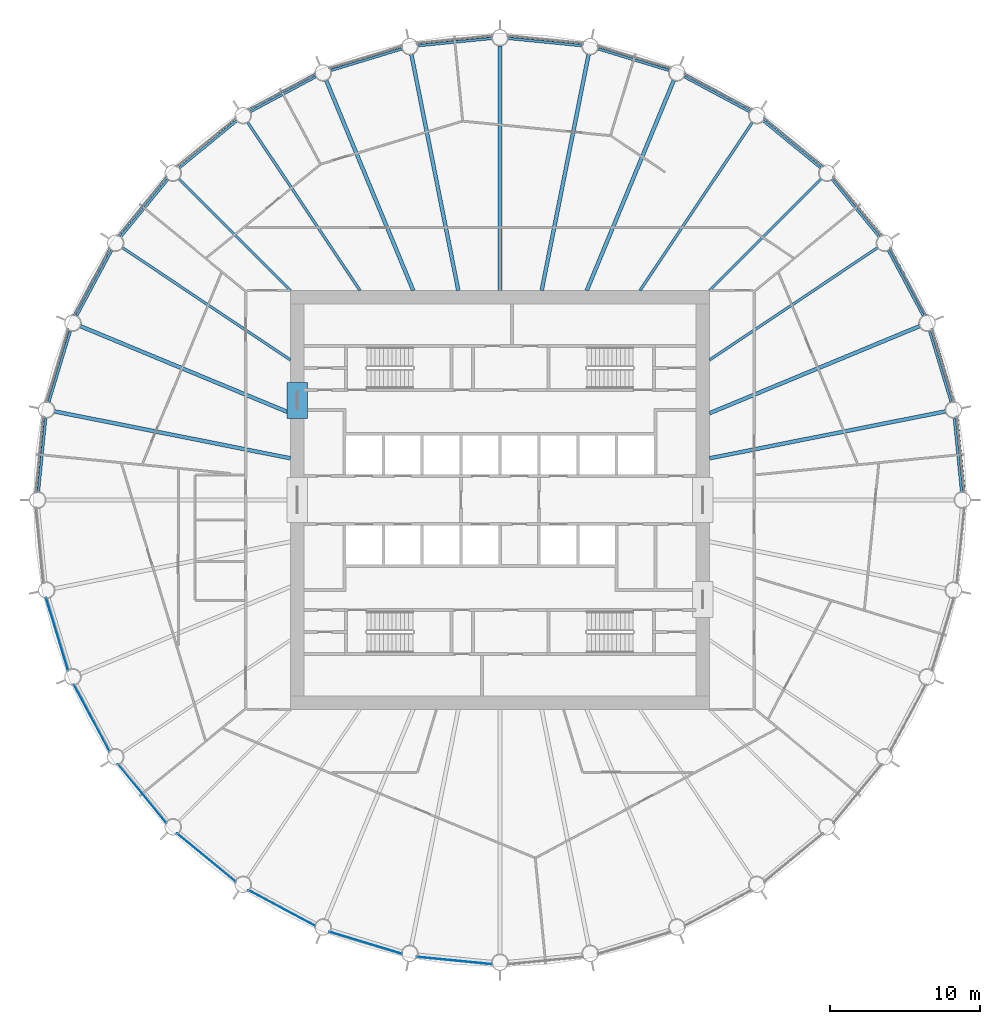
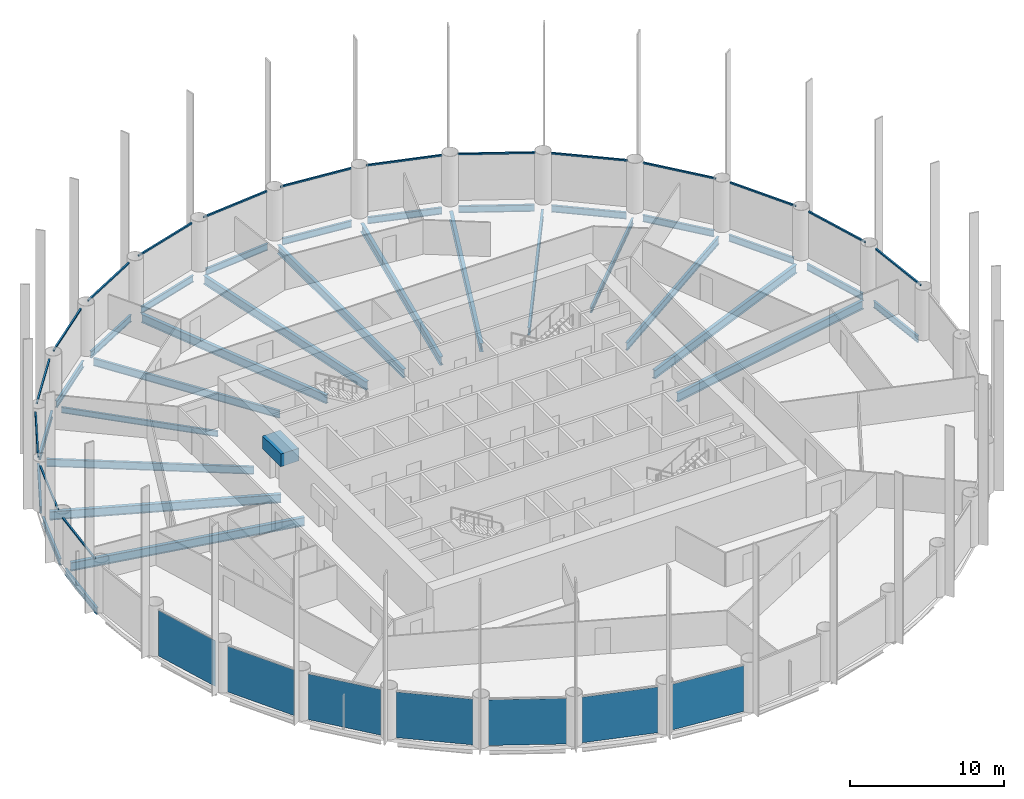
# One storey, part 2 of 9: 32 beams, 16 members, 7 plates, 23 elements without a shape of their own.
"""IFC4 building model written with IfcOpenShell, lengths in metres."""

from ifc_helpers import new_model, si_unit, direction, frame, origin, origin_2d, place, context, subcontext, project, spatial, rectangle, i_section, extrude, material, layer, layer_set, material_profile, profile_set, type_object, element, aggregate, save


model = new_model("IFC4")

# Units and contexts
model_context = context("Model", 3, precision=1e-05, world=origin(), true_north=direction((0.0, 1.0)))
body_context = subcontext(model_context, "Body", "Model", "MODEL_VIEW")
ifc_project = project(units=[si_unit("LENGTHUNIT", "METRE"), si_unit("AREAUNIT", "SQUARE_METRE"), si_unit("VOLUMEUNIT", "CUBIC_METRE"), si_unit("PLANEANGLEUNIT", "RADIAN"), si_unit("MASSUNIT", "GRAM", prefix="KILO")], contexts=[model_context])

# Site, building, storey
site_placement = place(None, origin())
site = spatial("IfcSite", under=ifc_project, at=site_placement, CompositionType="ELEMENT")
building_placement = place(site_placement, origin())
building = spatial("IfcBuilding", under=site, at=building_placement, Name="Corvane Civic Tower", CompositionType="ELEMENT")
storey_placement = place(building_placement, frame((0.0, 0.0, 188.0)))
storey = spatial("IfcBuildingStorey", under=building, at=storey_placement, Name="L44", CompositionType="ELEMENT", Elevation=188.0)

# Beams
ifc_material_1 = material(Name="Concrete C60/75", Category="concrete")
ifc_material_profile_1 = material_profile(ifc_material_1, rectangle(XDim=1.35009765625, YDim=1.0, at=origin_2d()), Name="COUPLING BEAM 1350X1000")
ifc_profile_set_1 = profile_set([ifc_material_profile_1], Name="Concrete C60/75")
beam_type_1 = type_object("IfcBeamType", Name="COUPLING BEAM COUPLING BEAM 1350X1000", PredefinedType="BEAM", material=ifc_profile_set_1)
beam_1_placement = place(storey_placement, frame((-13.550048828125, 5.449951171875, 2.60009765625), z_axis=(0.0, 1.0, 0.0), x_axis=(-1.0, 0.0, 0.0)))
element("IfcBeam", 1, at=beam_1_placement, inside=storey, type_object=beam_type_1, Name="BM-L44-cpl-CW-WN", PredefinedType="BEAM", context=body_context, shape_type="SweptSolid", body=[
    extrude(rectangle(XDim=1.35009765625, YDim=1.0, at=origin_2d()), origin(), (0.0, 0.0, 1.0), 2.400146484375),
])
ifc_material_2 = material(Name="Steel ASTM A992 Gr 50", Category="steel")
ifc_material_profile_2 = material_profile(ifc_material_2, i_section(OverallWidth=0.165771484375, OverallDepth=0.5283203125, WebThickness=0.009765625, FlangeThickness=0.013671875, at=origin_2d()), Name="W21X50")
ifc_profile_set_2 = profile_set([ifc_material_profile_2], Name="Steel ASTM A992 Gr 50")
beam_type_2 = type_object("IfcBeamType", Name="EDGE BEAM W21X50", PredefinedType="BEAM", material=ifc_profile_set_2)
beam_2_placement = place(storey_placement, frame((0.54736328125, 30.845947265625, -0.564208984375), z_axis=(0.995186236294, -0.09800181167, 0.0), x_axis=(0.09800181167, 0.995186236294, 0.0)))
element("IfcBeam", 2, at=beam_2_placement, inside=storey, type_object=beam_type_2, Name="BM-L44-E01", PredefinedType="BEAM", context=body_context, shape_type="SweptSolid", body=[
    extrude(i_section(OverallWidth=0.165771484375, OverallDepth=0.5283203125, WebThickness=0.009765625, FlangeThickness=0.013671875, at=origin_2d()), origin(), (0.0, 0.0, 1.0), 4.95751953125),
])
beam_3_placement = place(storey_placement, frame((6.5546875, 30.146484375, -0.564208984375), z_axis=(0.956944842086, -0.290269821381, 0.0), x_axis=(0.290269821381, 0.956944842086, 0.0)))
element("IfcBeam", 3, at=beam_3_placement, inside=storey, type_object=beam_type_2, Name="BM-L44-E02", PredefinedType="BEAM", context=body_context, shape_type="SweptSolid", body=[
    extrude(i_section(OverallWidth=0.165771484375, OverallDepth=0.5283203125, WebThickness=0.009765625, FlangeThickness=0.013671875, at=origin_2d()), origin(), (0.0, 0.0, 1.0), 4.957275390625),
])
for number, where, z_axis, x_axis, name in (
    (4, (12.31005859375, 28.28857421875, -0.564208984375), (0.881921784846, -0.471395763042, 0.0), (0.471395763042, 0.881921784846, 0.0), "BM-L44-E03"),
    (5, (17.59228515625, 25.343505859375, -0.564208984375), (0.77301516208, -0.634387546532, 0.0), (0.634387546532, 0.77301516208, 0.0), "BM-L44-E04"),
    (6, (22.198486328125, 21.424560546875, -0.564208984375), (0.634387546532, -0.77301516208, 0.0), (0.77301516208, 0.634387546532, 0.0), "BM-L44-E05"),
    (7, (25.95166015625, 16.68212890625, -0.564208984375), (0.471395763042, -0.881921784846, 0.0), (0.881921784846, 0.471395763042, 0.0), "BM-L44-E06"),
):
    element("IfcBeam", number, at=place(storey_placement, frame(where, z_axis=z_axis, x_axis=x_axis)), inside=storey, type_object=beam_type_2, Name=name, PredefinedType="BEAM", context=body_context, shape_type="SweptSolid", body=[
        extrude(i_section(OverallWidth=0.165771484375, OverallDepth=0.5283203125, WebThickness=0.009765625, FlangeThickness=0.013671875, at=origin_2d()), origin(), (0.0, 0.0, 1.0), 4.95751953125),
    ])
beam_4_placement = place(storey_placement, frame((28.70751953125, 11.298583984375, -0.564208984375), z_axis=(0.290269821381, -0.956944842086, 0.0), x_axis=(0.956944842086, 0.290269821381, 0.0)))
element("IfcBeam", 8, at=beam_4_placement, inside=storey, type_object=beam_type_2, Name="BM-L44-E07", PredefinedType="BEAM", context=body_context, shape_type="SweptSolid", body=[
    extrude(i_section(OverallWidth=0.165771484375, OverallDepth=0.5283203125, WebThickness=0.009765625, FlangeThickness=0.013671875, at=origin_2d()), origin(), (0.0, 0.0, 1.0), 4.957275390625),
])
for number, where, z_axis, x_axis, name in (
    (9, (30.360107421875, 5.48095703125, -0.564208984375), (0.09800181167, -0.995186236294, 0.0), (0.995186236294, 0.09800181167, 0.0), "BM-L44-E08"),
    (10, (-30.845947265625, 0.54736328125, -0.564208984375), (0.09800181167, 0.995186236294, 0.0), (-0.995186236294, 0.09800181167, 0.0), "BM-L44-E25"),
):
    element("IfcBeam", number, at=place(storey_placement, frame(where, z_axis=z_axis, x_axis=x_axis)), inside=storey, type_object=beam_type_2, Name=name, PredefinedType="BEAM", context=body_context, shape_type="SweptSolid", body=[
        extrude(i_section(OverallWidth=0.165771484375, OverallDepth=0.5283203125, WebThickness=0.009765625, FlangeThickness=0.013671875, at=origin_2d()), origin(), (0.0, 0.0, 1.0), 4.95751953125),
    ])
beam_5_placement = place(storey_placement, frame((-30.146484375, 6.5546875, -0.564208984375), z_axis=(0.290269821381, 0.956944842086, 0.0), x_axis=(-0.956944842086, 0.290269821381, 0.0)))
element("IfcBeam", 11, at=beam_5_placement, inside=storey, type_object=beam_type_2, Name="BM-L44-E26", PredefinedType="BEAM", context=body_context, shape_type="SweptSolid", body=[
    extrude(i_section(OverallWidth=0.165771484375, OverallDepth=0.5283203125, WebThickness=0.009765625, FlangeThickness=0.013671875, at=origin_2d()), origin(), (0.0, 0.0, 1.0), 4.957275390625),
])
for number, where, z_axis, x_axis, name in (
    (12, (-28.28857421875, 12.31005859375, -0.564208984375), (0.471395763042, 0.881921784846, 0.0), (-0.881921784846, 0.471395763042, 0.0), "BM-L44-E27"),
    (13, (-25.343505859375, 17.59228515625, -0.564208984375), (0.634387546532, 0.77301516208, 0.0), (-0.77301516208, 0.634387546532, 0.0), "BM-L44-E28"),
    (14, (-21.424560546875, 22.198486328125, -0.564208984375), (0.77301516208, 0.634387546532, 0.0), (-0.634387546532, 0.77301516208, 0.0), "BM-L44-E29"),
    (15, (-16.68212890625, 25.95166015625, -0.564208984375), (0.881921784846, 0.471395763042, 0.0), (-0.471395763042, 0.881921784846, 0.0), "BM-L44-E30"),
):
    element("IfcBeam", number, at=place(storey_placement, frame(where, z_axis=z_axis, x_axis=x_axis)), inside=storey, type_object=beam_type_2, Name=name, PredefinedType="BEAM", context=body_context, shape_type="SweptSolid", body=[
        extrude(i_section(OverallWidth=0.165771484375, OverallDepth=0.5283203125, WebThickness=0.009765625, FlangeThickness=0.013671875, at=origin_2d()), origin(), (0.0, 0.0, 1.0), 4.95751953125),
    ])
beam_6_placement = place(storey_placement, frame((-11.298583984375, 28.70751953125, -0.564208984375), z_axis=(0.956944842086, 0.290269821381, 0.0), x_axis=(-0.290269821381, 0.956944842086, 0.0)))
element("IfcBeam", 16, at=beam_6_placement, inside=storey, type_object=beam_type_2, Name="BM-L44-E31", PredefinedType="BEAM", context=body_context, shape_type="SweptSolid", body=[
    extrude(i_section(OverallWidth=0.165771484375, OverallDepth=0.5283203125, WebThickness=0.009765625, FlangeThickness=0.013671875, at=origin_2d()), origin(), (0.0, 0.0, 1.0), 4.957275390625),
])
beam_7_placement = place(storey_placement, frame((-5.48095703125, 30.360107421875, -0.564208984375), z_axis=(0.995186236294, 0.09800181167, 0.0), x_axis=(-0.09800181167, 0.995186236294, 0.0)))
element("IfcBeam", 17, at=beam_7_placement, inside=storey, type_object=beam_type_2, Name="BM-L44-E32", PredefinedType="BEAM", context=body_context, shape_type="SweptSolid", body=[
    extrude(i_section(OverallWidth=0.165771484375, OverallDepth=0.5283203125, WebThickness=0.009765625, FlangeThickness=0.013671875, at=origin_2d()), origin(), (0.0, 0.0, 1.0), 4.95751953125),
])
ifc_material_3 = material(Name="Steel ASTM A992 Gr 50", Category="steel")
ifc_material_profile_3 = material_profile(ifc_material_3, i_section(OverallWidth=0.15283203125, OverallDepth=0.45458984375, WebThickness=0.008056640625, FlangeThickness=0.013427734375, at=origin_2d()), Name="W18X40")
ifc_profile_set_3 = profile_set([ifc_material_profile_3], Name="Steel ASTM A992 Gr 50")
beam_type_3 = type_object("IfcBeamType", Name="FLOOR GIRDER W18X40", PredefinedType="BEAM", material=ifc_profile_set_3)
for number, where, z_axis, x_axis, name in (
    (18, (14.0, 14.0, -0.52734375), (0.707106781187, 0.707106781187, 0.0), (-0.707106781187, 0.707106781187, 0.0), "BM-L44-G05"),
    (19, (-14.0, 14.0, -0.52734375), (-0.707106781187, 0.707106781187, 0.0), (-0.707106781187, -0.707106781187, 0.0), "BM-L44-G29"),
):
    element("IfcBeam", number, at=place(storey_placement, frame(where, z_axis=z_axis, x_axis=x_axis)), inside=storey, type_object=beam_type_3, Name=name, PredefinedType="BEAM", context=body_context, shape_type="SweptSolid", body=[
        extrude(i_section(OverallWidth=0.15283203125, OverallDepth=0.45458984375, WebThickness=0.008056640625, FlangeThickness=0.013427734375, at=origin_2d()), origin(), (0.0, 0.0, 1.0), 10.551025390625),
    ])
ifc_material_4 = material(Name="Steel ASTM A992 Gr 50", Category="steel")
ifc_material_profile_4 = material_profile(ifc_material_4, i_section(OverallWidth=0.177978515625, OverallDepth=0.599365234375, WebThickness=0.010009765625, FlangeThickness=0.012939453125, at=origin_2d()), Name="W24X55")
ifc_profile_set_4 = profile_set([ifc_material_profile_4], Name="Steel ASTM A992 Gr 50")
beam_type_4 = type_object("IfcBeamType", Name="FLOOR GIRDER W24X55", PredefinedType="BEAM", material=ifc_profile_set_4)
for number, where, z_axis, x_axis, name in (
    (20, (9.3544921875, 14.0, -0.599609375), (0.555571323015, 0.83146888399, 0.0), (-0.83146888399, 0.555571323015, 0.0), "BM-L44-G04"),
    (21, (14.0, 9.3544921875, -0.599609375), (0.83146888399, 0.555571323015, 0.0), (-0.555571323015, 0.83146888399, 0.0), "BM-L44-G06"),
    (22, (-14.0, 9.3544921875, -0.599609375), (-0.83146888399, 0.555571323015, 0.0), (-0.555571323015, -0.83146888399, 0.0), "BM-L44-G28"),
    (23, (-9.3544921875, 14.0, -0.599609375), (-0.555571323015, 0.83146888399, 0.0), (-0.83146888399, -0.555571323015, 0.0), "BM-L44-G30"),
):
    element("IfcBeam", number, at=place(storey_placement, frame(where, z_axis=z_axis, x_axis=x_axis)), inside=storey, type_object=beam_type_4, Name=name, PredefinedType="BEAM", context=body_context, shape_type="SweptSolid", body=[
        extrude(i_section(OverallWidth=0.177978515625, OverallDepth=0.599365234375, WebThickness=0.010009765625, FlangeThickness=0.012939453125, at=origin_2d()), origin(), (0.0, 0.0, 1.0), 13.512451171875),
    ])
ifc_material_5 = material(Name="Steel ASTM A992 Gr 50", Category="steel")
ifc_material_profile_5 = material_profile(ifc_material_5, i_section(OverallWidth=0.25390625, OverallDepth=0.67822265625, WebThickness=0.01171875, FlangeThickness=0.016357421875, at=origin_2d()), Name="W27X84")
ifc_profile_set_5 = profile_set([ifc_material_profile_5], Name="Steel ASTM A992 Gr 50")
beam_type_5 = type_object("IfcBeamType", Name="FLOOR GIRDER W27X84", PredefinedType="BEAM", material=ifc_profile_set_5)
beam_8_placement = place(storey_placement, frame((0.0, 14.0, -0.63916015625), z_axis=(0.0, 1.0, 0.0), x_axis=(-1.0, 0.0, 0.0)))
element("IfcBeam", 24, at=beam_8_placement, inside=storey, type_object=beam_type_5, Name="BM-L44-G01", PredefinedType="BEAM", context=body_context, shape_type="SweptSolid", body=[
    extrude(i_section(OverallWidth=0.25390625, OverallDepth=0.67822265625, WebThickness=0.01171875, FlangeThickness=0.016357421875, at=origin_2d()), origin(), (0.0, 0.0, 1.0), 16.35009765625),
])
beam_9_placement = place(storey_placement, frame((2.78466796875, 14.0, -0.63916015625), z_axis=(0.195090912248, 0.980785162999, 0.0), x_axis=(-0.980785162999, 0.195090912248, 0.0)))
element("IfcBeam", 25, at=beam_9_placement, inside=storey, type_object=beam_type_5, Name="BM-L44-G02", PredefinedType="BEAM", context=body_context, shape_type="SweptSolid", body=[
    extrude(i_section(OverallWidth=0.25390625, OverallDepth=0.67822265625, WebThickness=0.01171875, FlangeThickness=0.016357421875, at=origin_2d()), origin(), (0.0, 0.0, 1.0), 16.07568359375),
])
for number, where, z_axis, x_axis, name in (
    (26, (5.799072265625, 14.0, -0.63916015625), (0.38268097323, 0.923880551114, 0.0), (-0.923880551114, 0.38268097323, 0.0), "BM-L44-G03"),
    (27, (14.0, 5.799072265625, -0.63916015625), (0.923880551114, 0.38268097323, 0.0), (-0.38268097323, 0.923880551114, 0.0), "BM-L44-G07"),
):
    element("IfcBeam", number, at=place(storey_placement, frame(where, z_axis=z_axis, x_axis=x_axis)), inside=storey, type_object=beam_type_5, Name=name, PredefinedType="BEAM", context=body_context, shape_type="SweptSolid", body=[
        extrude(i_section(OverallWidth=0.25390625, OverallDepth=0.67822265625, WebThickness=0.01171875, FlangeThickness=0.016357421875, at=origin_2d()), origin(), (0.0, 0.0, 1.0), 15.196533203125),
    ])
for number, where, z_axis, x_axis, name in (
    (28, (14.0, 2.78466796875, -0.63916015625), (0.980785162999, 0.195090912248, 0.0), (-0.195090912248, 0.980785162999, 0.0), "BM-L44-G08"),
    (29, (-14.0, 2.78466796875, -0.63916015625), (-0.980785162999, 0.195090912248, 0.0), (-0.195090912248, -0.980785162999, 0.0), "BM-L44-G26"),
):
    element("IfcBeam", number, at=place(storey_placement, frame(where, z_axis=z_axis, x_axis=x_axis)), inside=storey, type_object=beam_type_5, Name=name, PredefinedType="BEAM", context=body_context, shape_type="SweptSolid", body=[
        extrude(i_section(OverallWidth=0.25390625, OverallDepth=0.67822265625, WebThickness=0.01171875, FlangeThickness=0.016357421875, at=origin_2d()), origin(), (0.0, 0.0, 1.0), 16.07568359375),
    ])
for number, where, z_axis, x_axis, name in (
    (30, (-14.0, 5.799072265625, -0.63916015625), (-0.923880551114, 0.38268097323, 0.0), (-0.38268097323, -0.923880551114, 0.0), "BM-L44-G27"),
    (31, (-5.799072265625, 14.0, -0.63916015625), (-0.38268097323, 0.923880551114, 0.0), (-0.923880551114, -0.38268097323, 0.0), "BM-L44-G31"),
):
    element("IfcBeam", number, at=place(storey_placement, frame(where, z_axis=z_axis, x_axis=x_axis)), inside=storey, type_object=beam_type_5, Name=name, PredefinedType="BEAM", context=body_context, shape_type="SweptSolid", body=[
        extrude(i_section(OverallWidth=0.25390625, OverallDepth=0.67822265625, WebThickness=0.01171875, FlangeThickness=0.016357421875, at=origin_2d()), origin(), (0.0, 0.0, 1.0), 15.196533203125),
    ])
beam_10_placement = place(storey_placement, frame((-2.78466796875, 14.0, -0.63916015625), z_axis=(-0.195090912248, 0.980785162999, 0.0), x_axis=(-0.980785162999, -0.195090912248, 0.0)))
element("IfcBeam", 32, at=beam_10_placement, inside=storey, type_object=beam_type_5, Name="BM-L44-G32", PredefinedType="BEAM", context=body_context, shape_type="SweptSolid", body=[
    extrude(i_section(OverallWidth=0.25390625, OverallDepth=0.67822265625, WebThickness=0.01171875, FlangeThickness=0.016357421875, at=origin_2d()), origin(), (0.0, 0.0, 1.0), 16.07568359375),
])

# Curtain wall, member
ifc_material_6 = material(Name="Anodised aluminium bronze", Category="aluminium")
curtain_wall_type = type_object("IfcCurtainWallType", Name="TOWER CW-T2 STICK CURTAIN WALL", PredefinedType="NOTDEFINED", material=ifc_material_6)
curtain_wall_1_placement = place(storey_placement, origin())
curtain_wall_1 = element("IfcCurtainWall", 33, at=curtain_wall_1_placement, inside=storey, type_object=curtain_wall_type, Name="Curtain wall CW-T2 L44 bay 01", PredefinedType="NOTDEFINED")
ifc_material_7 = material(Name="Anodised aluminium bronze", Category="aluminium")
ifc_material_profile_6 = material_profile(ifc_material_7, rectangle(XDim=0.1201171875, YDim=0.1201171875, at=origin_2d()), Name="TOWER CW-T2 TRANSOM 120x120")
ifc_profile_set_6 = profile_set([ifc_material_profile_6], Name="Anodised aluminium bronze")
member_type = type_object("IfcMemberType", Name="TOWER CW-T2 TRANSOM 120x120", PredefinedType="USERDEFINED", material=ifc_profile_set_6)
member_1_placement = place(storey_placement, frame((0.505126953125, 31.0302734375, 3.68994140625), z_axis=(0.995187423416, -0.097989755963, 0.0), x_axis=(0.097989755963, 0.995187423416, 0.0)))
member_1 = element("IfcMember", 34, at=member_1_placement, type_object=member_type, Name="Transom CW-T2 L44 01.1", ObjectType="TRANSOM", PredefinedType="USERDEFINED", context=body_context, shape_type="SweptSolid", body=[
    extrude(rectangle(XDim=0.1201171875, YDim=0.1201171875, at=origin_2d()), origin(), (0.0, 0.0, 1.0), 5.07763671875),
])
aggregate(curtain_wall_1, [member_1])

curtain_wall_2_placement = place(storey_placement, origin())
curtain_wall_2 = element("IfcCurtainWall", 35, at=curtain_wall_2_placement, inside=storey, type_object=curtain_wall_type, Name="Curtain wall CW-T2 L44 bay 02", PredefinedType="NOTDEFINED")
member_2_placement = place(storey_placement, frame((6.54931640625, 30.33544921875, 3.68994140625), z_axis=(0.956939031389, -0.290288977061, 0.0), x_axis=(0.290288977061, 0.956939031389, 0.0)))
member_2 = element("IfcMember", 36, at=member_2_placement, type_object=member_type, Name="Transom CW-T2 L44 02.1", ObjectType="TRANSOM", PredefinedType="USERDEFINED", context=body_context, shape_type="SweptSolid", body=[
    extrude(rectangle(XDim=0.1201171875, YDim=0.1201171875, at=origin_2d()), origin(), (0.0, 0.0, 1.0), 5.077392578125),
])
aggregate(curtain_wall_2, [member_2])

curtain_wall_3_placement = place(storey_placement, origin())
curtain_wall_3 = element("IfcCurtainWall", 37, at=curtain_wall_3_placement, inside=storey, type_object=curtain_wall_type, Name="Curtain wall CW-T2 L44 bay 03", PredefinedType="NOTDEFINED")
member_3_placement = place(storey_placement, frame((12.341552734375, 28.474853515625, 3.68994140625), z_axis=(0.881921329426, -0.471396615074, 0.0), x_axis=(0.471396615074, 0.881921329426, 0.0)))
member_3 = element("IfcMember", 38, at=member_3_placement, type_object=member_type, Name="Transom CW-T2 L44 03.1", ObjectType="TRANSOM", PredefinedType="USERDEFINED", context=body_context, shape_type="SweptSolid", body=[
    extrude(rectangle(XDim=0.1201171875, YDim=0.1201171875, at=origin_2d()), origin(), (0.0, 0.0, 1.0), 5.07763671875),
])
aggregate(curtain_wall_3, [member_3])

curtain_wall_4_placement = place(storey_placement, origin())
curtain_wall_4 = element("IfcCurtainWall", 39, at=curtain_wall_4_placement, inside=storey, type_object=curtain_wall_type, Name="Curtain wall CW-T2 L44 bay 04", PredefinedType="NOTDEFINED")
member_4_placement = place(storey_placement, frame((17.65966796875, 25.519775390625, 3.68994140625), z_axis=(0.773015929719, -0.634386611146, 0.0), x_axis=(0.634386611146, 0.773015929719, 0.0)))
member_4 = element("IfcMember", 40, at=member_4_placement, type_object=member_type, Name="Transom CW-T2 L44 04.1", ObjectType="TRANSOM", PredefinedType="USERDEFINED", context=body_context, shape_type="SweptSolid", body=[
    extrude(rectangle(XDim=0.1201171875, YDim=0.1201171875, at=origin_2d()), origin(), (0.0, 0.0, 1.0), 5.0771484375),
])
aggregate(curtain_wall_4, [member_4])

curtain_wall_5_placement = place(storey_placement, origin())
curtain_wall_5 = element("IfcCurtainWall", 41, at=curtain_wall_5_placement, inside=storey, type_object=curtain_wall_type, Name="Curtain wall CW-T2 L44 bay 05", PredefinedType="NOTDEFINED")
member_5_placement = place(storey_placement, frame((22.298828125, 21.58447265625, 3.68994140625), z_axis=(0.634386611146, -0.773015929719, 0.0), x_axis=(0.773015929719, 0.634386611146, 0.0)))
member_5 = element("IfcMember", 42, at=member_5_placement, type_object=member_type, Name="Transom CW-T2 L44 05.1", ObjectType="TRANSOM", PredefinedType="USERDEFINED", context=body_context, shape_type="SweptSolid", body=[
    extrude(rectangle(XDim=0.1201171875, YDim=0.1201171875, at=origin_2d()), origin(), (0.0, 0.0, 1.0), 5.0771484375),
])
aggregate(curtain_wall_5, [member_5])

curtain_wall_6_placement = place(storey_placement, origin())
curtain_wall_6 = element("IfcCurtainWall", 43, at=curtain_wall_6_placement, inside=storey, type_object=curtain_wall_type, Name="Curtain wall CW-T2 L44 bay 06", PredefinedType="NOTDEFINED")
member_6_placement = place(storey_placement, frame((26.081298828125, 16.819580078125, 3.68994140625), z_axis=(0.471396615074, -0.881921329426, 0.0), x_axis=(0.881921329426, 0.471396615074, 0.0)))
member_6 = element("IfcMember", 44, at=member_6_placement, type_object=member_type, Name="Transom CW-T2 L44 06.1", ObjectType="TRANSOM", PredefinedType="USERDEFINED", context=body_context, shape_type="SweptSolid", body=[
    extrude(rectangle(XDim=0.1201171875, YDim=0.1201171875, at=origin_2d()), origin(), (0.0, 0.0, 1.0), 5.07763671875),
])
aggregate(curtain_wall_6, [member_6])

curtain_wall_7_placement = place(storey_placement, origin())
curtain_wall_7 = element("IfcCurtainWall", 45, at=curtain_wall_7_placement, inside=storey, type_object=curtain_wall_type, Name="Curtain wall CW-T2 L44 bay 07", PredefinedType="NOTDEFINED")
member_7_placement = place(storey_placement, frame((28.861572265625, 11.407958984375, 3.68994140625), z_axis=(0.290288977061, -0.956939031389, 0.0), x_axis=(0.956939031389, 0.290288977061, 0.0)))
member_7 = element("IfcMember", 46, at=member_7_placement, type_object=member_type, Name="Transom CW-T2 L44 07.1", ObjectType="TRANSOM", PredefinedType="USERDEFINED", context=body_context, shape_type="SweptSolid", body=[
    extrude(rectangle(XDim=0.1201171875, YDim=0.1201171875, at=origin_2d()), origin(), (0.0, 0.0, 1.0), 5.077392578125),
])
aggregate(curtain_wall_7, [member_7])

curtain_wall_8_placement = place(storey_placement, origin())
curtain_wall_8 = element("IfcCurtainWall", 47, at=curtain_wall_8_placement, inside=storey, type_object=curtain_wall_type, Name="Curtain wall CW-T2 L44 bay 08", PredefinedType="NOTDEFINED")
member_8_placement = place(storey_placement, frame((30.53271484375, 5.558349609375, 3.68994140625), z_axis=(0.097989755963, -0.995187423416, 0.0), x_axis=(0.995187423416, 0.097989755963, 0.0)))
member_8 = element("IfcMember", 48, at=member_8_placement, type_object=member_type, Name="Transom CW-T2 L44 08.1", ObjectType="TRANSOM", PredefinedType="USERDEFINED", context=body_context, shape_type="SweptSolid", body=[
    extrude(rectangle(XDim=0.1201171875, YDim=0.1201171875, at=origin_2d()), origin(), (0.0, 0.0, 1.0), 5.07763671875),
])
aggregate(curtain_wall_8, [member_8])

curtain_wall_9_placement = place(storey_placement, origin())
curtain_wall_9 = element("IfcCurtainWall", 49, at=curtain_wall_9_placement, inside=storey, type_object=curtain_wall_type, Name="Curtain wall CW-T2 L44 bay 25", PredefinedType="NOTDEFINED")
member_9_placement = place(storey_placement, frame((-31.0302734375, 0.505126953125, 3.68994140625), z_axis=(0.097989755963, 0.995187423416, 0.0), x_axis=(-0.995187423416, 0.097989755963, 0.0)))
member_9 = element("IfcMember", 50, at=member_9_placement, type_object=member_type, Name="Transom CW-T2 L44 25.1", ObjectType="TRANSOM", PredefinedType="USERDEFINED", context=body_context, shape_type="SweptSolid", body=[
    extrude(rectangle(XDim=0.1201171875, YDim=0.1201171875, at=origin_2d()), origin(), (0.0, 0.0, 1.0), 5.07763671875),
])
aggregate(curtain_wall_9, [member_9])

curtain_wall_10_placement = place(storey_placement, origin())
curtain_wall_10 = element("IfcCurtainWall", 51, at=curtain_wall_10_placement, inside=storey, type_object=curtain_wall_type, Name="Curtain wall CW-T2 L44 bay 26", PredefinedType="NOTDEFINED")
member_10_placement = place(storey_placement, frame((-30.33544921875, 6.54931640625, 3.68994140625), z_axis=(0.290288977061, 0.956939031389, 0.0), x_axis=(-0.956939031389, 0.290288977061, 0.0)))
member_10 = element("IfcMember", 52, at=member_10_placement, type_object=member_type, Name="Transom CW-T2 L44 26.1", ObjectType="TRANSOM", PredefinedType="USERDEFINED", context=body_context, shape_type="SweptSolid", body=[
    extrude(rectangle(XDim=0.1201171875, YDim=0.1201171875, at=origin_2d()), origin(), (0.0, 0.0, 1.0), 5.077392578125),
])
aggregate(curtain_wall_10, [member_10])

curtain_wall_11_placement = place(storey_placement, origin())
curtain_wall_11 = element("IfcCurtainWall", 53, at=curtain_wall_11_placement, inside=storey, type_object=curtain_wall_type, Name="Curtain wall CW-T2 L44 bay 27", PredefinedType="NOTDEFINED")
member_11_placement = place(storey_placement, frame((-28.474853515625, 12.341552734375, 3.68994140625), z_axis=(0.471396615074, 0.881921329426, 0.0), x_axis=(-0.881921329426, 0.471396615074, 0.0)))
member_11 = element("IfcMember", 54, at=member_11_placement, type_object=member_type, Name="Transom CW-T2 L44 27.1", ObjectType="TRANSOM", PredefinedType="USERDEFINED", context=body_context, shape_type="SweptSolid", body=[
    extrude(rectangle(XDim=0.1201171875, YDim=0.1201171875, at=origin_2d()), origin(), (0.0, 0.0, 1.0), 5.07763671875),
])
aggregate(curtain_wall_11, [member_11])

curtain_wall_12_placement = place(storey_placement, origin())
curtain_wall_12 = element("IfcCurtainWall", 55, at=curtain_wall_12_placement, inside=storey, type_object=curtain_wall_type, Name="Curtain wall CW-T2 L44 bay 28", PredefinedType="NOTDEFINED")
member_12_placement = place(storey_placement, frame((-25.519775390625, 17.65966796875, 3.68994140625), z_axis=(0.634386611146, 0.773015929719, 0.0), x_axis=(-0.773015929719, 0.634386611146, 0.0)))
member_12 = element("IfcMember", 56, at=member_12_placement, type_object=member_type, Name="Transom CW-T2 L44 28.1", ObjectType="TRANSOM", PredefinedType="USERDEFINED", context=body_context, shape_type="SweptSolid", body=[
    extrude(rectangle(XDim=0.1201171875, YDim=0.1201171875, at=origin_2d()), origin(), (0.0, 0.0, 1.0), 5.0771484375),
])
aggregate(curtain_wall_12, [member_12])

curtain_wall_13_placement = place(storey_placement, origin())
curtain_wall_13 = element("IfcCurtainWall", 57, at=curtain_wall_13_placement, inside=storey, type_object=curtain_wall_type, Name="Curtain wall CW-T2 L44 bay 29", PredefinedType="NOTDEFINED")
member_13_placement = place(storey_placement, frame((-21.58447265625, 22.298828125, 3.68994140625), z_axis=(0.773015929719, 0.634386611146, 0.0), x_axis=(-0.634386611146, 0.773015929719, 0.0)))
member_13 = element("IfcMember", 58, at=member_13_placement, type_object=member_type, Name="Transom CW-T2 L44 29.1", ObjectType="TRANSOM", PredefinedType="USERDEFINED", context=body_context, shape_type="SweptSolid", body=[
    extrude(rectangle(XDim=0.1201171875, YDim=0.1201171875, at=origin_2d()), origin(), (0.0, 0.0, 1.0), 5.0771484375),
])
aggregate(curtain_wall_13, [member_13])

curtain_wall_14_placement = place(storey_placement, origin())
curtain_wall_14 = element("IfcCurtainWall", 59, at=curtain_wall_14_placement, inside=storey, type_object=curtain_wall_type, Name="Curtain wall CW-T2 L44 bay 30", PredefinedType="NOTDEFINED")
member_14_placement = place(storey_placement, frame((-16.819580078125, 26.081298828125, 3.68994140625), z_axis=(0.881921329426, 0.471396615074, 0.0), x_axis=(-0.471396615074, 0.881921329426, 0.0)))
member_14 = element("IfcMember", 60, at=member_14_placement, type_object=member_type, Name="Transom CW-T2 L44 30.1", ObjectType="TRANSOM", PredefinedType="USERDEFINED", context=body_context, shape_type="SweptSolid", body=[
    extrude(rectangle(XDim=0.1201171875, YDim=0.1201171875, at=origin_2d()), origin(), (0.0, 0.0, 1.0), 5.07763671875),
])
aggregate(curtain_wall_14, [member_14])

curtain_wall_15_placement = place(storey_placement, origin())
curtain_wall_15 = element("IfcCurtainWall", 61, at=curtain_wall_15_placement, inside=storey, type_object=curtain_wall_type, Name="Curtain wall CW-T2 L44 bay 31", PredefinedType="NOTDEFINED")
member_15_placement = place(storey_placement, frame((-11.407958984375, 28.861572265625, 3.68994140625), z_axis=(0.956939031389, 0.290288977061, 0.0), x_axis=(-0.290288977061, 0.956939031389, 0.0)))
member_15 = element("IfcMember", 62, at=member_15_placement, type_object=member_type, Name="Transom CW-T2 L44 31.1", ObjectType="TRANSOM", PredefinedType="USERDEFINED", context=body_context, shape_type="SweptSolid", body=[
    extrude(rectangle(XDim=0.1201171875, YDim=0.1201171875, at=origin_2d()), origin(), (0.0, 0.0, 1.0), 5.077392578125),
])
aggregate(curtain_wall_15, [member_15])

curtain_wall_16_placement = place(storey_placement, origin())
curtain_wall_16 = element("IfcCurtainWall", 63, at=curtain_wall_16_placement, inside=storey, type_object=curtain_wall_type, Name="Curtain wall CW-T2 L44 bay 32", PredefinedType="NOTDEFINED")
member_16_placement = place(storey_placement, frame((-5.558349609375, 30.53271484375, 3.68994140625), z_axis=(0.995187423416, 0.097989755963, 0.0), x_axis=(-0.097989755963, 0.995187423416, 0.0)))
member_16 = element("IfcMember", 64, at=member_16_placement, type_object=member_type, Name="Transom CW-T2 L44 32.1", ObjectType="TRANSOM", PredefinedType="USERDEFINED", context=body_context, shape_type="SweptSolid", body=[
    extrude(rectangle(XDim=0.1201171875, YDim=0.1201171875, at=origin_2d()), origin(), (0.0, 0.0, 1.0), 5.07763671875),
])
aggregate(curtain_wall_16, [member_16])

# Curtain wall, plate
curtain_wall_17_placement = place(storey_placement, origin())
curtain_wall_17 = element("IfcCurtainWall", 65, at=curtain_wall_17_placement, inside=storey, type_object=curtain_wall_type, Name="Curtain wall CW-T2 L44 bay 17", PredefinedType="NOTDEFINED")
ifc_material_8 = material(Name="Tinted glass", Category="glass")
ifc_layer = layer(ifc_material_8, 0.031982421875)
ifc_layer_set = layer_set([ifc_layer], Name="Tinted glass")
plate_type = type_object("IfcPlateType", Name="TOWER CW-T2 PANEL IGU32", PredefinedType="CURTAIN_PANEL", material=ifc_layer_set)
plate_1_placement = place(storey_placement, frame((-3.03173828125, -30.781494140625, 0.0), z_axis=(0.0, 0.0, 1.0), x_axis=(-0.995185244531, 0.098011882274, 0.0)))
plate_1 = element("IfcPlate", 66, at=plate_1_placement, type_object=plate_type, Name="Glass panel CW-T2 L44 17.1", PredefinedType="CURTAIN_PANEL", context=body_context, shape_type="SweptSolid", body=[
    extrude(rectangle(XDim=5.07763671875, YDim=0.031982421875, at=origin_2d()), origin(), (0.0, 0.0, 1.0), 3.6298828125),
])
aggregate(curtain_wall_17, [plate_1])

curtain_wall_18_placement = place(storey_placement, origin())
curtain_wall_18 = element("IfcCurtainWall", 67, at=curtain_wall_18_placement, inside=storey, type_object=curtain_wall_type, Name="Curtain wall CW-T2 L44 bay 18", PredefinedType="NOTDEFINED")
plate_2_placement = place(storey_placement, frame((-8.978515625, -29.5986328125, 0.0), z_axis=(0.0, 0.0, 1.0), x_axis=(-0.956931677007, 0.290313219714, 0.0)))
plate_2 = element("IfcPlate", 68, at=plate_2_placement, type_object=plate_type, Name="Glass panel CW-T2 L44 18.1", PredefinedType="CURTAIN_PANEL", context=body_context, shape_type="SweptSolid", body=[
    extrude(rectangle(XDim=5.077392578125, YDim=0.031982421875, at=origin_2d()), origin(), (0.0, 0.0, 1.0), 3.6298828125),
])
aggregate(curtain_wall_18, [plate_2])

curtain_wall_19_placement = place(storey_placement, origin())
curtain_wall_19 = element("IfcCurtainWall", 69, at=curtain_wall_19_placement, inside=storey, type_object=curtain_wall_type, Name="Curtain wall CW-T2 L44 bay 19", PredefinedType="NOTDEFINED")
plate_3_placement = place(storey_placement, frame((-14.58056640625, -27.278076171875, 0.0), z_axis=(0.0, 0.0, 1.0), x_axis=(-0.881922190434, 0.471395004238, 0.0)))
plate_3 = element("IfcPlate", 70, at=plate_3_placement, type_object=plate_type, Name="Glass panel CW-T2 L44 19.1", PredefinedType="CURTAIN_PANEL", context=body_context, shape_type="SweptSolid", body=[
    extrude(rectangle(XDim=5.077392578125, YDim=0.031982421875, at=origin_2d()), origin(), (0.0, 0.0, 1.0), 3.6298828125),
])
aggregate(curtain_wall_19, [plate_3])

curtain_wall_20_placement = place(storey_placement, origin())
curtain_wall_20 = element("IfcCurtainWall", 71, at=curtain_wall_20_placement, inside=storey, type_object=curtain_wall_type, Name="Curtain wall CW-T2 L44 bay 20", PredefinedType="NOTDEFINED")
plate_4_placement = place(storey_placement, frame((-19.6220703125, -23.909423828125, 0.0), z_axis=(0.0, 0.0, 1.0), x_axis=(-0.773004844196, 0.634400118891, 0.0)))
plate_4 = element("IfcPlate", 72, at=plate_4_placement, type_object=plate_type, Name="Glass panel CW-T2 L44 20.1", PredefinedType="CURTAIN_PANEL", context=body_context, shape_type="SweptSolid", body=[
    extrude(rectangle(XDim=5.0771484375, YDim=0.031982421875, at=origin_2d()), origin(), (0.0, 0.0, 1.0), 3.6298828125),
])
aggregate(curtain_wall_20, [plate_4])

curtain_wall_21_placement = place(storey_placement, origin())
curtain_wall_21 = element("IfcCurtainWall", 73, at=curtain_wall_21_placement, inside=storey, type_object=curtain_wall_type, Name="Curtain wall CW-T2 L44 bay 21", PredefinedType="NOTDEFINED")
plate_5_placement = place(storey_placement, frame((-23.909423828125, -19.6220703125, 0.0), z_axis=(0.0, 0.0, 1.0), x_axis=(-0.634400118891, 0.773004844196, 0.0)))
plate_5 = element("IfcPlate", 74, at=plate_5_placement, type_object=plate_type, Name="Glass panel CW-T2 L44 21.1", PredefinedType="CURTAIN_PANEL", context=body_context, shape_type="SweptSolid", body=[
    extrude(rectangle(XDim=5.0771484375, YDim=0.031982421875, at=origin_2d()), origin(), (0.0, 0.0, 1.0), 3.6298828125),
])
aggregate(curtain_wall_21, [plate_5])

curtain_wall_22_placement = place(storey_placement, origin())
curtain_wall_22 = element("IfcCurtainWall", 75, at=curtain_wall_22_placement, inside=storey, type_object=curtain_wall_type, Name="Curtain wall CW-T2 L44 bay 22", PredefinedType="NOTDEFINED")
plate_6_placement = place(storey_placement, frame((-27.278076171875, -14.58056640625, 0.0), z_axis=(0.0, 0.0, 1.0), x_axis=(-0.471395004238, 0.881922190434, 0.0)))
plate_6 = element("IfcPlate", 76, at=plate_6_placement, type_object=plate_type, Name="Glass panel CW-T2 L44 22.1", PredefinedType="CURTAIN_PANEL", context=body_context, shape_type="SweptSolid", body=[
    extrude(rectangle(XDim=5.077392578125, YDim=0.031982421875, at=origin_2d()), origin(), (0.0, 0.0, 1.0), 3.6298828125),
])
aggregate(curtain_wall_22, [plate_6])

curtain_wall_23_placement = place(storey_placement, origin())
curtain_wall_23 = element("IfcCurtainWall", 77, at=curtain_wall_23_placement, inside=storey, type_object=curtain_wall_type, Name="Curtain wall CW-T2 L44 bay 23", PredefinedType="NOTDEFINED")
plate_7_placement = place(storey_placement, frame((-29.5986328125, -8.978515625, 0.0), z_axis=(0.0, 0.0, 1.0), x_axis=(-0.290313219714, 0.956931677007, 0.0)))
plate_7 = element("IfcPlate", 78, at=plate_7_placement, type_object=plate_type, Name="Glass panel CW-T2 L44 23.1", PredefinedType="CURTAIN_PANEL", context=body_context, shape_type="SweptSolid", body=[
    extrude(rectangle(XDim=5.077392578125, YDim=0.031982421875, at=origin_2d()), origin(), (0.0, 0.0, 1.0), 3.6298828125),
])
aggregate(curtain_wall_23, [plate_7])

save(model, "model.ifc")
